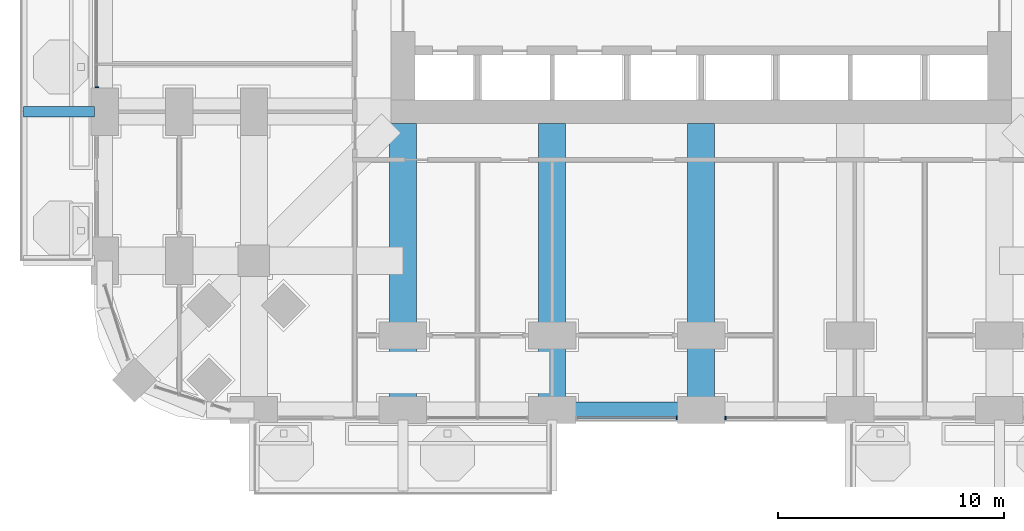
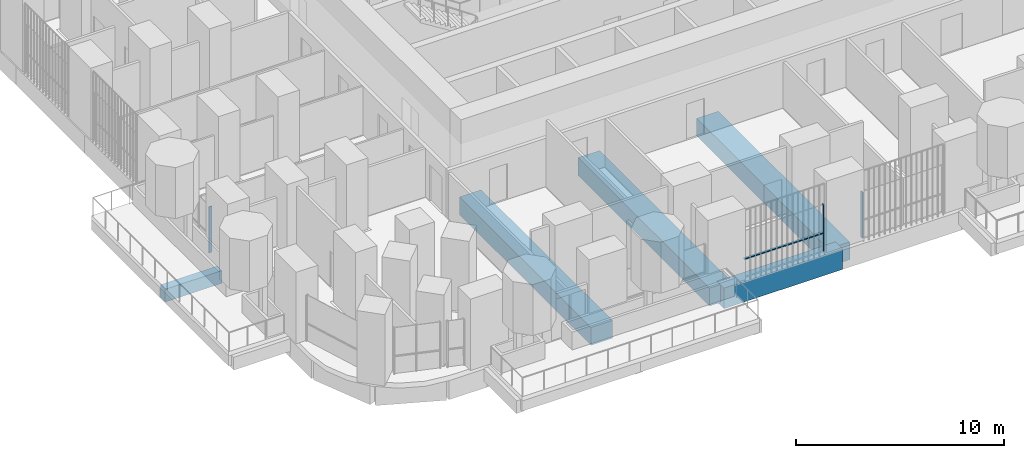
# One storey, part 3 of 27: 5 beams, 4 members, 3 elements without a shape of their own.
"""IFC4 building model written with IfcOpenShell, lengths in metres."""

from ifc_helpers import new_model, si_unit, direction, frame, origin, origin_2d, place, context, subcontext, project, spatial, rectangle, extrude, material, material_profile, profile_set, type_object, element, aggregate, save


model = new_model("IFC4")

# Units and contexts
model_context = context("Model", 3, precision=1e-05, world=origin(), true_north=direction((0.0, 1.0)))
body_context = subcontext(model_context, "Body", "Model", "MODEL_VIEW")
ifc_project = project(units=[si_unit("LENGTHUNIT", "METRE"), si_unit("AREAUNIT", "SQUARE_METRE"), si_unit("VOLUMEUNIT", "CUBIC_METRE"), si_unit("PLANEANGLEUNIT", "RADIAN"), si_unit("MASSUNIT", "GRAM", prefix="KILO")], contexts=[model_context])

# Site, building, storey
site_placement = place(None, origin())
site = spatial("IfcSite", under=ifc_project, at=site_placement, CompositionType="ELEMENT")
building_placement = place(site_placement, origin())
building = spatial("IfcBuilding", under=site, at=building_placement, Name="Cobogo Forest Laboratory Tower", CompositionType="ELEMENT")
storey_placement = place(building_placement, frame((0.0, 0.0, 46.5)))
storey = spatial("IfcBuildingStorey", under=building, at=storey_placement, Name="L10", CompositionType="ELEMENT", Elevation=46.5)

# Beams
ifc_material_1 = material(Name="Concrete HA-40 (C40/50)", Category="concrete")
ifc_material_profile_1 = material_profile(ifc_material_1, rectangle(XDim=0.449951171875, YDim=0.75, at=origin_2d()), Name="RC 450x750")
ifc_profile_set_1 = profile_set([ifc_material_profile_1], Name="Concrete HA-40 (C40/50)")
beam_type_1 = type_object("IfcBeamType", Name="Balcony cantilever beam 450x750", PredefinedType="BEAM", material=ifc_profile_set_1)
beam_1_placement = place(storey_placement, frame((-0.449951171875, 13.199951171875, -0.625), z_axis=(-1.0, 0.0, 0.0), x_axis=(0.0, -1.0, 0.0)))
element("IfcBeam", 1, at=beam_1_placement, inside=storey, type_object=beam_type_1, Name="CB1 BAL-W1-C2 L10", PredefinedType="BEAM", context=body_context, shape_type="SweptSolid", body=[
    extrude(rectangle(XDim=0.449951171875, YDim=0.75, at=origin_2d()), origin(), (0.0, 0.0, 1.0), 3.150146484375),
])
ifc_material_profile_2 = material_profile(ifc_material_1, rectangle(XDim=1.199951171875, YDim=1.050048828125, at=origin_2d()), Name="RC 1200x1050")
ifc_profile_set_2 = profile_set([ifc_material_profile_2], Name="Concrete HA-40 (C40/50)")
beam_type_2 = type_object("IfcBeamType", Name="Laboratory floor wide beam 1200x1050", PredefinedType="BEAM", material=ifc_profile_set_2)
for number, where, z_axis, x_axis, name in (
    (2, (13.199951171875, 12.675048828125, -0.824951171875), (0.0, -1.0, 0.0), (1.0, 0.0, 0.0), "RB1 R-3-S L10"),
    (3, (19.800048828125, 12.675048828125, -0.824951171875), (0.0, -1.0, 0.0), (1.0, 0.0, 0.0), "RB1 R-4-S L10"),
    (4, (26.39990234375, 12.675048828125, -0.824951171875), (0.0, -1.0, 0.0), (1.0, 0.0, 0.0), "RB1 R-5-S L10"),
):
    element("IfcBeam", number, at=place(storey_placement, frame(where, z_axis=z_axis, x_axis=x_axis)), inside=storey, type_object=beam_type_2, Name=name, PredefinedType="BEAM", context=body_context, shape_type="SweptSolid", body=[
        extrude(rectangle(XDim=1.199951171875, YDim=1.050048828125, at=origin_2d()), origin(), (0.0, 0.0, 1.0), 12.675048828125),
    ])

# Curtain wall, member
ifc_material_2 = material(Name="Aluminium curtain wall", Category="aluminium")
curtain_wall_type = type_object("IfcCurtainWallType", Name="CW-1 unitised curtain wall, clear glazing, laboratory floors zones A and B", PredefinedType="USERDEFINED", material=ifc_material_2)
curtain_wall_1_placement = place(storey_placement, origin())
curtain_wall_1 = element("IfcCurtainWall", 5, at=curtain_wall_1_placement, inside=storey, type_object=curtain_wall_type, Name="Curtain wall 03 L10", ObjectType="UNITISED CURTAIN WALL", PredefinedType="USERDEFINED")
ifc_material_3 = material(Name="Aluminium mullion", Category="aluminium")
ifc_material_profile_3 = material_profile(ifc_material_3, rectangle(XDim=0.06005859375, YDim=0.159912109375, at=origin_2d()), Name="AL 60x160")
ifc_profile_set_3 = profile_set([ifc_material_profile_3], Name="Aluminium mullion")
member_type_1 = type_object("IfcMemberType", Name="MU-1 aluminium mullion 60x160", PredefinedType="MULLION", material=ifc_profile_set_3)
member_1_placement = place(storey_placement, frame((25.320068359375, -0.35009765625, 0.0), z_axis=(0.0, 0.0, 1.0), x_axis=(1.0, 0.0, 0.0)))
member_1 = element("IfcMember", 6, at=member_1_placement, type_object=member_type_1, Name="CW-1 mullion 2", PredefinedType="MULLION", context=body_context, shape_type="SweptSolid", body=[
    extrude(rectangle(XDim=0.06005859375, YDim=0.159912109375, at=origin_2d()), origin(), (0.0, 0.0, 1.0), 2.699951171875),
])

curtain_wall_2_placement = place(storey_placement, origin())
curtain_wall_2 = element("IfcCurtainWall", 7, at=curtain_wall_2_placement, inside=storey, type_object=curtain_wall_type, Name="Curtain wall 04 L10", ObjectType="UNITISED CURTAIN WALL", PredefinedType="USERDEFINED")
member_2_placement = place(storey_placement, frame((27.47998046875, -0.35009765625, 0.0), z_axis=(0.0, 0.0, 1.0), x_axis=(1.0, 0.0, 0.0)))
member_2 = element("IfcMember", 8, at=member_2_placement, type_object=member_type_1, Name="CW-1 mullion 1", PredefinedType="MULLION", context=body_context, shape_type="SweptSolid", body=[
    extrude(rectangle(XDim=0.06005859375, YDim=0.159912109375, at=origin_2d()), origin(), (0.0, 0.0, 1.0), 2.699951171875),
])
aggregate(curtain_wall_2, [member_2])

curtain_wall_3_placement = place(storey_placement, origin())
curtain_wall_3 = element("IfcCurtainWall", 9, at=curtain_wall_3_placement, inside=storey, type_object=curtain_wall_type, Name="Curtain wall 30 L10", ObjectType="UNITISED CURTAIN WALL", PredefinedType="USERDEFINED")
member_3_placement = place(storey_placement, frame((-0.35009765625, 14.280029296875, 0.0), z_axis=(0.0, 0.0, 1.0), x_axis=(0.0, -1.0, 0.0)))
member_3 = element("IfcMember", 10, at=member_3_placement, type_object=member_type_1, Name="CW-1 mullion 3", PredefinedType="MULLION", context=body_context, shape_type="SweptSolid", body=[
    extrude(rectangle(XDim=0.06005859375, YDim=0.159912109375, at=origin_2d()), origin(), (0.0, 0.0, 1.0), 2.699951171875),
])
aggregate(curtain_wall_3, [member_3])

# Beam
ifc_material_profile_4 = material_profile(ifc_material_1, rectangle(XDim=0.699951171875, YDim=1.199951171875, at=origin_2d()), Name="RC 700x1200")
ifc_profile_set_4 = profile_set([ifc_material_profile_4], Name="Concrete HA-40 (C40/50)")
beam_type_3 = type_object("IfcBeamType", Name="Perimeter edge beam 700x1200", PredefinedType="BEAM", material=ifc_profile_set_4)
beam_2_placement = place(storey_placement, frame((19.800048828125, 0.0, -0.89990234375), z_axis=(1.0, 0.0, 0.0), x_axis=(0.0, 1.0, 0.0)))
element("IfcBeam", 11, at=beam_2_placement, inside=storey, type_object=beam_type_3, Name="EB1 E-S3 L10", PredefinedType="BEAM", context=body_context, shape_type="SweptSolid", body=[
    extrude(rectangle(XDim=0.699951171875, YDim=1.199951171875, at=origin_2d()), origin(), (0.0, 0.0, 1.0), 6.599853515625),
])

# Member
ifc_material_4 = material(Name="Aluminium transom", Category="aluminium")
ifc_material_profile_5 = material_profile(ifc_material_4, rectangle(XDim=0.1201171875, YDim=0.06005859375, at=origin_2d()), Name="AL 60x120")
ifc_profile_set_5 = profile_set([ifc_material_profile_5], Name="Aluminium transom")
member_type_2 = type_object("IfcMemberType", Name="TR-1 aluminium transom 60x120", PredefinedType="USERDEFINED", material=ifc_profile_set_5)
member_4_placement = place(storey_placement, frame((20.909912109375, -0.35009765625, 1.050048828125), z_axis=(1.0, 0.0, 0.0), x_axis=(0.0, 1.0, 0.0)))
member_4 = element("IfcMember", 12, at=member_4_placement, type_object=member_type_2, Name="CW-1 transom 1.1", ObjectType="TRANSOM", PredefinedType="USERDEFINED", context=body_context, shape_type="SweptSolid", body=[
    extrude(rectangle(XDim=0.1201171875, YDim=0.06005859375, at=origin_2d()), origin(), (0.0, 0.0, 1.0), 4.380126953125),
])

aggregate(curtain_wall_1, [member_1, member_4])

save(model, "model.ifc")
